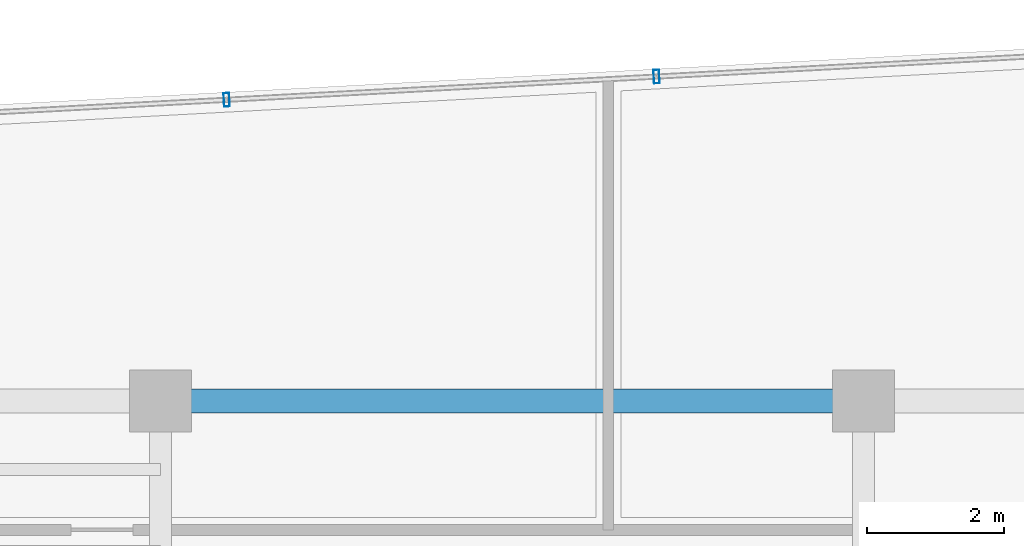
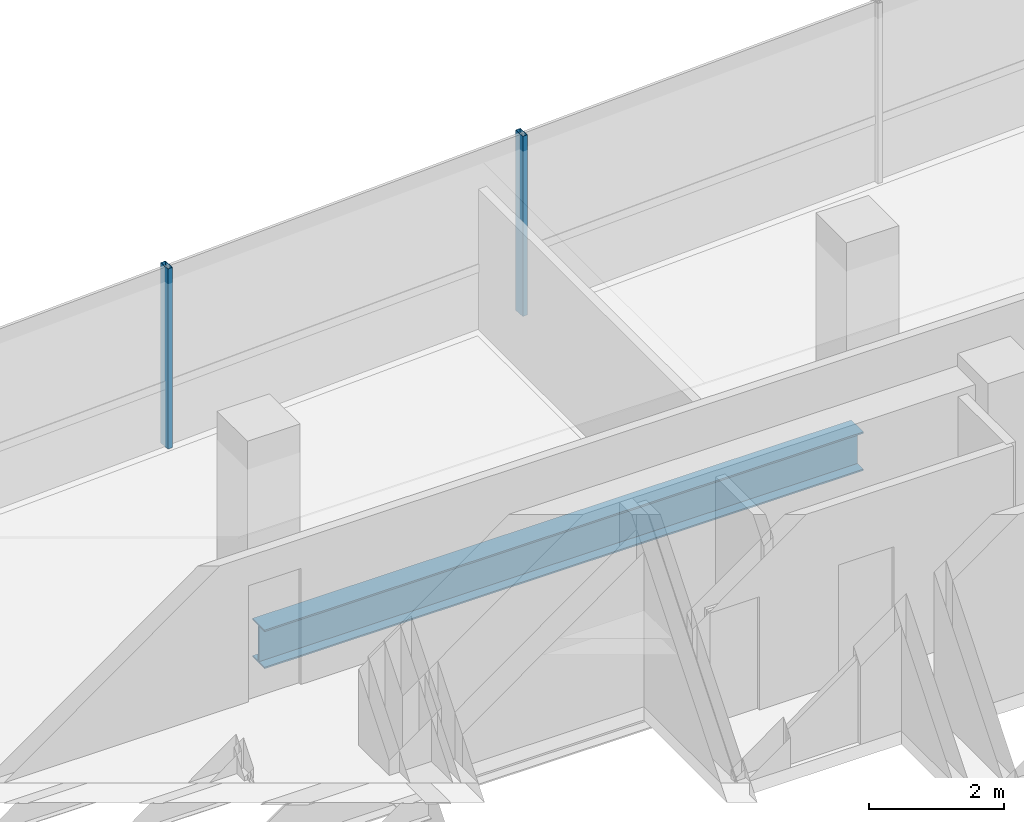
# One storey, part 14 of 22: 2 members, 1 beam, 1 element without a shape of its own.
"""IFC4 building model written with IfcOpenShell, lengths in metres."""

from ifc_helpers import new_model, si_unit, direction, frame, origin, origin_2d, place, context, subcontext, project, spatial, hollow_rectangle, i_section, extrude, source, transform, mapped, material, material_profile, profile_set, type_object, element, aggregate, save


model = new_model("IFC4")

# Units and contexts
model_context = context("Model", 3, precision=1e-05, world=origin(), true_north=direction((0.0, 1.0)))
body_context = subcontext(model_context, "Body", "Model", "MODEL_VIEW")
ifc_project = project(units=[si_unit("LENGTHUNIT", "METRE"), si_unit("AREAUNIT", "SQUARE_METRE"), si_unit("VOLUMEUNIT", "CUBIC_METRE"), si_unit("PLANEANGLEUNIT", "RADIAN"), si_unit("MASSUNIT", "GRAM", prefix="KILO")], contexts=[model_context])

# Site, building, storey
site_placement = place(None, origin())
site = spatial("IfcSite", under=ifc_project, at=site_placement, CompositionType="ELEMENT")
building_placement = place(site_placement, origin())
building = spatial("IfcBuilding", under=site, at=building_placement, Name="Valdorenza Pilgrim Sanctuary Tower", CompositionType="ELEMENT")
storey_placement = place(building_placement, frame((0.0, 0.0, 233.5)))
storey = spatial("IfcBuildingStorey", under=building, at=storey_placement, Name="L60", CompositionType="ELEMENT", Elevation=233.5)

# Beam
ifc_material_1 = material(Name="Steel ASTM A992 Grade 50", Category="steel")
ifc_material_profile_1 = material_profile(ifc_material_1, i_section(OverallWidth=0.35595703125, OverallDepth=0.700927734375, WebThickness=0.016845703125, FlangeThickness=0.02734375, at=origin_2d()), Name="W27X161")
ifc_profile_set_1 = profile_set([ifc_material_profile_1], Name="Steel ASTM A992 Grade 50")
beam_type = type_object("IfcBeamType", Name="STR-BM-GRD-W27", PredefinedType="BEAM", material=ifc_profile_set_1)
shared_shape_1 = source(origin(), body_context, "Body", "SweptSolid", [
    extrude(i_section(OverallWidth=0.35595703125, OverallDepth=0.700927734375, WebThickness=0.016845703125, FlangeThickness=0.02734375, at=origin_2d()), origin(), (0.0, 0.0, 1.0), 10.25),
])
beam_placement = place(storey_placement, frame((-22.64990234375, 14.800048828125, -0.590576171875), z_axis=(1.0, 0.0, 0.0), x_axis=(0.0, 1.0, 0.0)))
element("IfcBeam", 1, at=beam_placement, inside=storey, type_object=beam_type, Name="L60 Floor Girder CA-XC-N2", PredefinedType="BEAM", context=body_context, shape_type="MappedRepresentation", body=[
    mapped(shared_shape_1, transform((0.0, 0.0, 0.0), x_axis=(1.0, 0.0, 0.0), y_axis=(0.0, 1.0, 0.0), z_axis=(0.0, 0.0, 1.0), scale=1.0)),
])

# Curtain wall, members
ifc_material_2 = material(Name="Curtain-wall IGU glazing", Category="glass")
curtain_wall_type = type_object("IfcCurtainWallType", Name="CW-SYS-02", PredefinedType="NOTDEFINED", material=ifc_material_2)
curtain_wall_placement = place(storey_placement, origin())
curtain_wall = element("IfcCurtainWall", 2, at=curtain_wall_placement, inside=storey, type_object=curtain_wall_type, Name="L60 Curtain Wall CW-L60-1-6", PredefinedType="NOTDEFINED")
ifc_material_3 = material(Name="Anodised aluminium AW-6060", Category="aluminium")
ifc_material_profile_2 = material_profile(ifc_material_3, hollow_rectangle(XDim=0.0849609375, YDim=0.199951171875, WallThickness=0.0048828125, at=origin_2d()), Name="ALU-M 200x85x5")
ifc_profile_set_2 = profile_set([ifc_material_profile_2], Name="Anodised aluminium AW-6060")
member_type = type_object("IfcMemberType", Name="CW-MUL-02", PredefinedType="MULLION", material=ifc_profile_set_2)
shared_shape_2 = source(origin(), body_context, "Body", "SweptSolid", [
    extrude(hollow_rectangle(XDim=0.0849609375, YDim=0.199951171875, WallThickness=0.0048828125, at=origin_2d()), origin(), (0.0, 0.0, 1.0), 3.260009765625),
])
member_1_placement = place(storey_placement, frame((-21.686279296875, 19.1923828125, 0.0), z_axis=(0.0, 0.0, 1.0), x_axis=(0.998547034311, 0.053887106711, 0.0)))
member_1 = element("IfcMember", 3, at=member_1_placement, type_object=member_type, Name="CW-L60-1-6 Mullion 2", PredefinedType="MULLION", context=body_context, shape_type="MappedRepresentation", body=[
    mapped(shared_shape_2, transform((0.0, 0.0, 0.0), x_axis=(1.0, 0.0, 0.0), y_axis=(0.0, 1.0, 0.0), z_axis=(0.0, 0.0, 1.0), scale=1.0)),
])
member_2_placement = place(storey_placement, frame((-15.4169921875, 19.531005859375, 0.0), z_axis=(0.0, 0.0, 1.0), x_axis=(0.998547034311, 0.053887106711, 0.0)))
member_2 = element("IfcMember", 4, at=member_2_placement, type_object=member_type, Name="CW-L60-1-6 Mullion 3", PredefinedType="MULLION", context=body_context, shape_type="MappedRepresentation", body=[
    mapped(shared_shape_2, transform((0.0, 0.0, 0.0), x_axis=(1.0, 0.0, 0.0), y_axis=(0.0, 1.0, 0.0), z_axis=(0.0, 0.0, 1.0), scale=1.0)),
])
aggregate(curtain_wall, [member_1, member_2])

save(model, "model.ifc")
